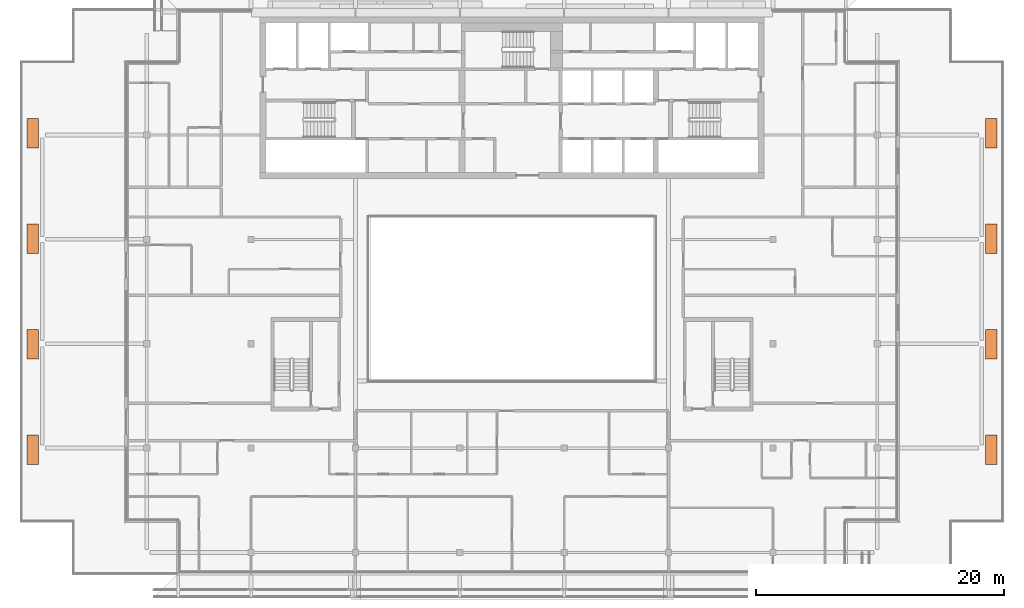
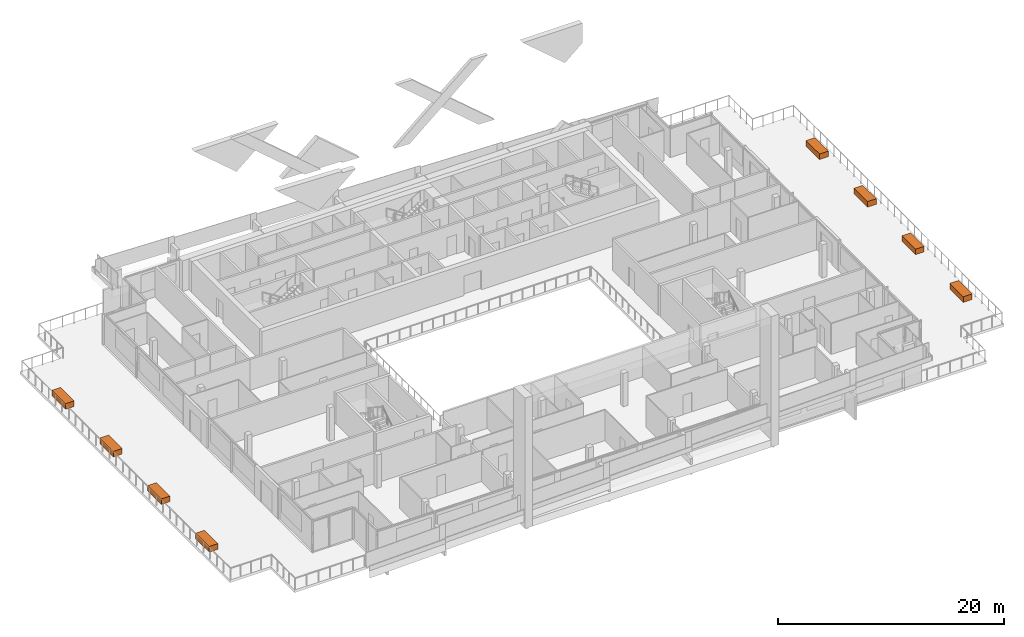
# One storey, part 29 of 29: 8 proxies.
"""IFC4 building model written with IfcOpenShell, lengths in metres."""

from ifc_helpers import new_model, si_unit, direction, frame, origin, origin_2d, place, context, subcontext, project, spatial, rectangle, extrude, element, save


model = new_model("IFC4")

# Units and contexts
model_context = context("Model", 3, precision=1e-05, world=origin(), true_north=direction((0.0, 1.0)))
body_context = subcontext(model_context, "Body", "Model", "MODEL_VIEW")
ifc_project = project(units=[si_unit("LENGTHUNIT", "METRE"), si_unit("AREAUNIT", "SQUARE_METRE"), si_unit("VOLUMEUNIT", "CUBIC_METRE"), si_unit("PLANEANGLEUNIT", "RADIAN"), si_unit("MASSUNIT", "GRAM", prefix="KILO")], contexts=[model_context])

# Site, building, storey
site_placement = place(None, origin())
site = spatial("IfcSite", under=ifc_project, at=site_placement, CompositionType="ELEMENT")
building_placement = place(site_placement, origin())
building = spatial("IfcBuilding", under=site, at=building_placement, Name="Saffron Gate Tower", CompositionType="ELEMENT")
storey_placement = place(building_placement, frame((0.0, 0.0, 270.75)))
storey = spatial("IfcBuildingStorey", under=building, at=storey_placement, Name="L65", CompositionType="ELEMENT", Elevation=270.75)

# Proxies
for number, where, z_axis, x_axis, name in (
    (1, (49.02001953125, 65.534912109375, 0.0), (0.0, 0.0, 1.0), (0.0, -1.0, 0.0), "PLANTER terrace"),
    (2, (49.02001953125, 57.044921875, 0.0), (0.0, 0.0, 1.0), (0.0, -1.0, 0.0), "PLANTER terrace"),
    (3, (49.02001953125, 48.554931640625, 0.0), (0.0, 0.0, 1.0), (0.0, -1.0, 0.0), "PLANTER terrace"),
    (4, (49.02001953125, 40.06494140625, 0.0), (0.0, 0.0, 1.0), (0.0, -1.0, 0.0), "PLANTER terrace"),
    (5, (126.179931640625, 40.06494140625, 0.0), (0.0, 0.0, 1.0), (0.0, 1.0, 0.0), "PLANTER terrace"),
    (6, (126.179931640625, 48.554931640625, 0.0), (0.0, 0.0, 1.0), (0.0, 1.0, 0.0), "PLANTER terrace"),
    (7, (126.179931640625, 57.044921875, 0.0), (0.0, 0.0, 1.0), (0.0, 1.0, 0.0), "PLANTER terrace"),
    (8, (126.179931640625, 65.534912109375, 0.0), (0.0, 0.0, 1.0), (0.0, 1.0, 0.0), "PLANTER terrace"),
):
    element("IfcBuildingElementProxy", number, at=place(storey_placement, frame(where, z_axis=z_axis, x_axis=x_axis)), inside=storey, Name=name, ObjectType="PLANTER", PredefinedType="USERDEFINED", context=body_context, shape_type="SweptSolid", body=[
        extrude(rectangle(XDim=2.39990234375, YDim=0.89990234375, at=origin_2d()), origin(), (0.0, 0.0, 1.0), 0.60009765625),
    ])

save(model, "model.ifc")
